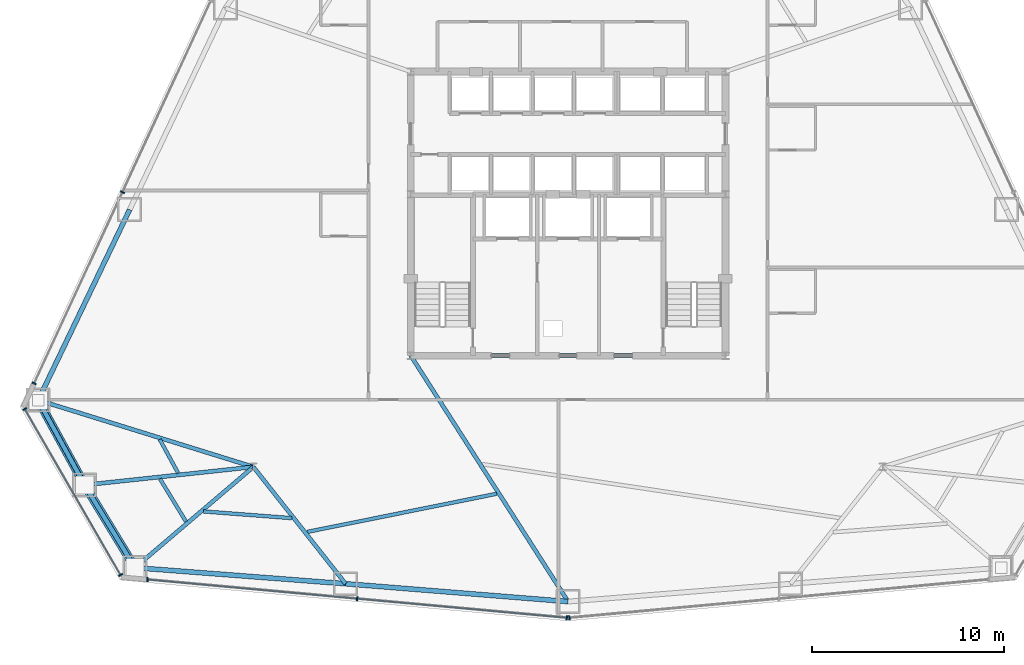
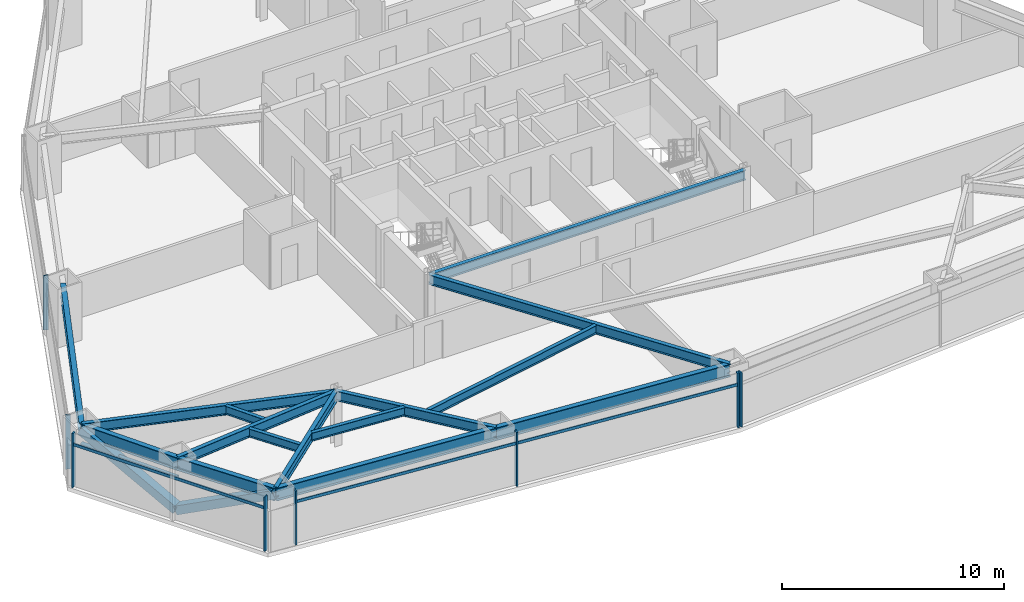
# One storey, part 4 of 12: 15 beams, 13 members, 4 elements without a shape of their own.
"""IFC4 building model written with IfcOpenShell, lengths in metres."""

from ifc_helpers import new_model, si_unit, direction, frame, origin, origin_2d, place, context, subcontext, project, spatial, rectangle, hollow_rectangle, hollow_circle, i_section, extrude, source, transform, mapped, material, layer, layer_set, material_profile, profile_set, type_object, type_shapes, element, aggregate, save


model = new_model("IFC4")

# Units and contexts
model_context = context("Model", 3, precision=1e-05, world=origin(), true_north=direction((0.0, 1.0)))
body_context = subcontext(model_context, "Body", "Model", "MODEL_VIEW")
ifc_project = project(units=[si_unit("LENGTHUNIT", "METRE"), si_unit("AREAUNIT", "SQUARE_METRE"), si_unit("VOLUMEUNIT", "CUBIC_METRE"), si_unit("PLANEANGLEUNIT", "RADIAN"), si_unit("MASSUNIT", "GRAM", prefix="KILO")], contexts=[model_context])

# Site, building, storey
site_placement = place(None, origin())
site = spatial("IfcSite", under=ifc_project, at=site_placement, CompositionType="ELEMENT")
building_placement = place(site_placement, origin())
building = spatial("IfcBuilding", under=site, at=building_placement, Name="Varakhsha Concourse Tower", CompositionType="ELEMENT")
storey_placement = place(building_placement, frame((0.0, 0.0, 36.800048828125)))
storey = spatial("IfcBuildingStorey", under=building, at=storey_placement, Name="L09", CompositionType="ELEMENT", Elevation=36.800048828125)

# Beams
ifc_material_1 = material(Name="Structural Steel ASTM A992 Grade 50", Category="steel")
ifc_material_profile_1 = material_profile(ifc_material_1, i_section(OverallWidth=0.19091796875, OverallDepth=0.45703125, WebThickness=0.009033203125, FlangeThickness=0.013916015625, at=origin_2d()), Name="W18X50")
ifc_profile_set_1 = profile_set([ifc_material_profile_1], Name="Structural Steel ASTM A992 Grade 50")
beam_type_1 = type_object("IfcBeamType", Name="BM-JST-W18X50", PredefinedType="JOIST", material=ifc_profile_set_1)
beam_1_placement = place(storey_placement, frame((18.72021484375, 12.03466796875, 2.75146484375), z_axis=(0.479699205935, -0.877433001332, 0.0), x_axis=(0.877433001332, 0.479699205935, 0.0)))
element("IfcBeam", 1, at=beam_1_placement, inside=storey, type_object=beam_type_1, Name="BM-TJST-L09-07", PredefinedType="JOIST", context=body_context, shape_type="SweptSolid", body=[
    extrude(i_section(OverallWidth=0.19091796875, OverallDepth=0.45703125, WebThickness=0.009033203125, FlangeThickness=0.013916015625, at=origin_2d()), origin(), (0.0, 0.0, 1.0), 1.99853515625),
])
beam_2_placement = place(storey_placement, frame((18.73388671875, 9.977294921875, 2.75146484375), z_axis=(0.520000486842, -0.854165963782, 0.0), x_axis=(0.854165963782, 0.520000486842, 0.0)))
element("IfcBeam", 2, at=beam_2_placement, inside=storey, type_object=beam_type_1, Name="BM-TJST-L09-08", PredefinedType="JOIST", context=body_context, shape_type="SweptSolid", body=[
    extrude(i_section(OverallWidth=0.19091796875, OverallDepth=0.45703125, WebThickness=0.009033203125, FlangeThickness=0.013916015625, at=origin_2d()), origin(), (0.0, 0.0, 1.0), 2.603759765625),
])
beam_3_placement = place(storey_placement, frame((20.9951171875, 8.281005859375, 2.75146484375), z_axis=(0.997104898325, -0.076038291245, 0.0), x_axis=(0.076038291245, 0.997104898325, 0.0)))
element("IfcBeam", 3, at=beam_3_placement, inside=storey, type_object=beam_type_1, Name="BM-TJST-L09-09", PredefinedType="JOIST", context=body_context, shape_type="SweptSolid", body=[
    extrude(i_section(OverallWidth=0.19091796875, OverallDepth=0.45703125, WebThickness=0.009033203125, FlangeThickness=0.013916015625, at=origin_2d()), origin(), (0.0, 0.0, 1.0), 4.62353515625),
])
beam_4_placement = place(storey_placement, frame((26.399658203125, 7.212158203125, 2.75146484375), z_axis=(0.980358396777, 0.19722427302, 0.0), x_axis=(-0.19722427302, 0.980358396777, 0.0)))
element("IfcBeam", 4, at=beam_4_placement, inside=storey, type_object=beam_type_1, Name="BM-TJST-L09-10", PredefinedType="JOIST", context=body_context, shape_type="SweptSolid", body=[
    extrude(i_section(OverallWidth=0.19091796875, OverallDepth=0.45703125, WebThickness=0.009033203125, FlangeThickness=0.013916015625, at=origin_2d()), origin(), (0.0, 0.0, 1.0), 10.08251953125),
])
ifc_material_profile_2 = material_profile(ifc_material_1, i_section(OverallWidth=0.2109375, OverallDepth=0.5390625, WebThickness=0.011962890625, FlangeThickness=0.01904296875, at=origin_2d()), Name="W21X73")
ifc_profile_set_2 = profile_set([ifc_material_profile_2], Name="Structural Steel ASTM A992 Grade 50")
beam_type_2 = type_object("IfcBeamType", Name="BM-RAD-W21X73", PredefinedType="BEAM", material=ifc_profile_set_2)
beam_5_placement = place(storey_placement, frame((31.800048828125, 16.39990234375, 2.71044921875), z_axis=(1.0, 0.0, 0.0), x_axis=(0.0, 1.0, 0.0)))
element("IfcBeam", 5, at=beam_5_placement, inside=storey, type_object=beam_type_2, Name="BM-TCORE-L09-CS", PredefinedType="BEAM", context=body_context, shape_type="SweptSolid", body=[
    extrude(i_section(OverallWidth=0.2109375, OverallDepth=0.5390625, WebThickness=0.011962890625, FlangeThickness=0.01904296875, at=origin_2d()), origin(), (0.0, 0.0, 1.0), 16.39990234375),
])
beam_6_placement = place(storey_placement, frame((23.60009765625, 10.60009765625, 2.71044921875), z_axis=(-0.955056624601, 0.2964234198, 0.0), x_axis=(-0.2964234198, -0.955056624601, 0.0)))
element("IfcBeam", 6, at=beam_6_placement, inside=storey, type_object=beam_type_2, Name="L09 Radial Floor Girder 07", PredefinedType="BEAM", context=body_context, shape_type="SweptSolid", body=[
    extrude(i_section(OverallWidth=0.2109375, OverallDepth=0.5390625, WebThickness=0.011962890625, FlangeThickness=0.01904296875, at=origin_2d()), origin(), (0.0, 0.0, 1.0), 11.73828125),
])
beam_7_placement = place(storey_placement, frame((23.60009765625, 10.60009765625, 2.71044921875), z_axis=(-0.994280497061, -0.106800248893, 0.0), x_axis=(0.106800248893, -0.994280497061, 0.0)))
element("IfcBeam", 7, at=beam_7_placement, inside=storey, type_object=beam_type_2, Name="L09 Radial Floor Girder 08", PredefinedType="BEAM", context=body_context, shape_type="SweptSolid", body=[
    extrude(i_section(OverallWidth=0.2109375, OverallDepth=0.5390625, WebThickness=0.011962890625, FlangeThickness=0.01904296875, at=origin_2d()), origin(), (0.0, 0.0, 1.0), 8.842041015625),
])
beam_8_placement = place(storey_placement, frame((23.60009765625, 10.60009765625, 2.71044921875), z_axis=(-0.761498250571, -0.648166964892, 0.0), x_axis=(0.648166964892, -0.761498250571, 0.0)))
element("IfcBeam", 8, at=beam_8_placement, inside=storey, type_object=beam_type_2, Name="L09 Radial Floor Girder 09", PredefinedType="BEAM", context=body_context, shape_type="SweptSolid", body=[
    extrude(i_section(OverallWidth=0.2109375, OverallDepth=0.5390625, WebThickness=0.011962890625, FlangeThickness=0.01904296875, at=origin_2d()), origin(), (0.0, 0.0, 1.0), 8.10205078125),
])
beam_9_placement = place(storey_placement, frame((23.60009765625, 10.60009765625, 2.71044921875), z_axis=(0.619646329508, -0.78488115427, 0.0), x_axis=(0.78488115427, 0.619646329508, 0.0)))
element("IfcBeam", 9, at=beam_9_placement, inside=storey, type_object=beam_type_2, Name="L09 Radial Floor Girder 10", PredefinedType="BEAM", context=body_context, shape_type="SweptSolid", body=[
    extrude(i_section(OverallWidth=0.2109375, OverallDepth=0.5390625, WebThickness=0.011962890625, FlangeThickness=0.01904296875, at=origin_2d()), origin(), (0.0, 0.0, 1.0), 7.757080078125),
])
beam_10_placement = place(storey_placement, frame((31.800048828125, 16.39990234375, 2.71044921875), z_axis=(0.538905712871, -0.842366091812, 0.0), x_axis=(0.842366091812, 0.538905712871, 0.0)))
element("IfcBeam", 10, at=beam_10_placement, inside=storey, type_object=beam_type_2, Name="L09 Radial Floor Girder 11", PredefinedType="BEAM", context=body_context, shape_type="SweptSolid", body=[
    extrude(i_section(OverallWidth=0.2109375, OverallDepth=0.5390625, WebThickness=0.011962890625, FlangeThickness=0.01904296875, at=origin_2d()), origin(), (0.0, 0.0, 1.0), 15.2158203125),
])
ifc_material_profile_3 = material_profile(ifc_material_1, i_section(OverallWidth=0.25390625, OverallDepth=0.701904296875, WebThickness=0.014892578125, FlangeThickness=0.028076171875, at=origin_2d()), Name="W27X129")
ifc_profile_set_3 = profile_set([ifc_material_profile_3], Name="Structural Steel ASTM A992 Grade 50")
beam_type_3 = type_object("IfcBeamType", Name="BM-SPAN-W27X129", PredefinedType="SPANDREL", material=ifc_profile_set_3)
beam_11_placement = place(storey_placement, frame((17.15283203125, 24.004150390625, 2.62890625), z_axis=(-0.432704390999, -0.901535861744, 0.0), x_axis=(0.901535861744, -0.432704390999, 0.0)))
element("IfcBeam", 11, at=beam_11_placement, inside=storey, type_object=beam_type_3, Name="BM-SPAN-L09-06", PredefinedType="SPANDREL", context=body_context, shape_type="SweptSolid", body=[
    extrude(i_section(OverallWidth=0.25390625, OverallDepth=0.701904296875, WebThickness=0.014892578125, FlangeThickness=0.028076171875, at=origin_2d()), origin(), (0.0, 0.0, 1.0), 11.008544921875),
])
beam_12_placement = place(storey_placement, frame((12.389404296875, 14.07958984375, 2.62890625), z_axis=(0.479798364466, -0.87737878334, 0.0), x_axis=(0.87737878334, 0.479798364466, 0.0)))
element("IfcBeam", 12, at=beam_12_placement, inside=storey, type_object=beam_type_3, Name="BM-SPAN-L09-07", PredefinedType="SPANDREL", context=body_context, shape_type="SweptSolid", body=[
    extrude(i_section(OverallWidth=0.25390625, OverallDepth=0.701904296875, WebThickness=0.014892578125, FlangeThickness=0.028076171875, at=origin_2d()), origin(), (0.0, 0.0, 1.0), 5.0419921875),
])
beam_13_placement = place(storey_placement, frame((14.80859375, 9.65576171875, 2.62890625), z_axis=(0.519960770998, -0.85419014079, 0.0), x_axis=(0.85419014079, 0.519960770998, 0.0)))
element("IfcBeam", 13, at=beam_13_placement, inside=storey, type_object=beam_type_3, Name="BM-SPAN-L09-08", PredefinedType="SPANDREL", context=body_context, shape_type="SweptSolid", body=[
    extrude(i_section(OverallWidth=0.25390625, OverallDepth=0.701904296875, WebThickness=0.014892578125, FlangeThickness=0.028076171875, at=origin_2d()), origin(), (0.0, 0.0, 1.0), 5.042236328125),
])
beam_14_placement = place(storey_placement, frame((17.430419921875, 5.3486328125, 2.62890625), z_axis=(0.997105791948, -0.076026572094, 0.0), x_axis=(0.076026572094, 0.997105791948, 0.0)))
element("IfcBeam", 14, at=beam_14_placement, inside=storey, type_object=beam_type_3, Name="BM-SPAN-L09-09", PredefinedType="SPANDREL", context=body_context, shape_type="SweptSolid", body=[
    extrude(i_section(OverallWidth=0.25390625, OverallDepth=0.701904296875, WebThickness=0.014892578125, FlangeThickness=0.028076171875, at=origin_2d()), origin(), (0.0, 0.0, 1.0), 11.008056640625),
])
beam_15_placement = place(storey_placement, frame((28.40673828125, 4.51171875, 2.62890625), z_axis=(0.996803386739, -0.079893730572, 0.0), x_axis=(0.079893730572, 0.996803386739, 0.0)))
element("IfcBeam", 15, at=beam_15_placement, inside=storey, type_object=beam_type_3, Name="BM-SPAN-L09-10", PredefinedType="SPANDREL", context=body_context, shape_type="SweptSolid", body=[
    extrude(i_section(OverallWidth=0.25390625, OverallDepth=0.701904296875, WebThickness=0.014892578125, FlangeThickness=0.028076171875, at=origin_2d()), origin(), (0.0, 0.0, 1.0), 11.63037109375),
])

# Members
ifc_material_2 = material(Name="Structural Steel ASTM A500 Grade C", Category="steel")
ifc_material_profile_4 = material_profile(ifc_material_2, hollow_rectangle(XDim=0.449951171875, YDim=0.449951171875, WallThickness=0.01904296875, at=origin_2d()), Name="HSS 450x450x19")
ifc_profile_set_4 = profile_set([ifc_material_profile_4], Name="Structural Steel ASTM A500 Grade C")
member_type_1 = type_object("IfcMemberType", Name="MB-TUBE-HSS450", PredefinedType="BRACE", material=ifc_profile_set_4)
shared_shape_1 = source(origin(), body_context, "Body", "SweptSolid", [
    extrude(hollow_rectangle(XDim=0.449951171875, YDim=0.449951171875, WallThickness=0.01904296875, at=origin_2d()), origin(), (0.0, 0.0, 1.0), 5.65478515625),
])
member_1_placement = place(storey_placement, frame((14.80859375, 9.65576171875, 0.119873046875), z_axis=(-0.427812544431, 0.782315400654, 0.452724022697), x_axis=(-0.87737878334, -0.479798364466, 0.0)))
element("IfcMember", 16, at=member_1_placement, inside=storey, type_object=member_type_1, Name="L09 Wind-Corner Tube Brace B03", PredefinedType="BRACE", context=body_context, shape_type="MappedRepresentation", body=[
    mapped(shared_shape_1, transform((0.0, 0.0, 0.0), scale=1.0)),
])
shared_shape_2 = source(origin(), body_context, "Body", "SweptSolid", [
    extrude(hollow_rectangle(XDim=0.449951171875, YDim=0.449951171875, WallThickness=0.01904296875, at=origin_2d()), origin(), (0.0, 0.0, 1.0), 5.655029296875),
])
type_shapes(member_type_1, [shared_shape_1, shared_shape_2])
member_2_placement = place(storey_placement, frame((14.80859375, 9.65576171875, 0.119873046875), z_axis=(0.463628238856, -0.761647210159, 0.452705625537), x_axis=(0.85419014079, 0.519960770998, 0.0)))
element("IfcMember", 17, at=member_2_placement, inside=storey, type_object=member_type_1, Name="L09 Wind-Corner Tube Brace B04", PredefinedType="BRACE", context=body_context, shape_type="MappedRepresentation", body=[
    mapped(shared_shape_2, transform((0.0, 0.0, 0.0), scale=1.0)),
])
ifc_material_profile_5 = material_profile(ifc_material_2, hollow_circle(Radius=0.136474609375, WallThickness=0.011962890625, at=origin_2d()), Name="CHS 273x12")
ifc_profile_set_5 = profile_set([ifc_material_profile_5], Name="Structural Steel ASTM A500 Grade C")
member_type_2 = type_object("IfcMemberType", Name="MB-WIND-CHS273", PredefinedType="COLLAR", material=ifc_profile_set_5)
shared_shape_3 = source(origin(), body_context, "Body", "SweptSolid", [
    extrude(hollow_circle(Radius=0.136474609375, WallThickness=0.011962890625, at=origin_2d()), origin(), (0.0, 0.0, 1.0), 5.0419921875),
])
type_shapes(member_type_2, [shared_shape_3])
member_3_placement = place(storey_placement, frame((12.389404296875, 14.07958984375, 1.800048828125), z_axis=(0.479798364466, -0.87737878334, 0.0), x_axis=(0.87737878334, 0.479798364466, 0.0)))
element("IfcMember", 18, at=member_3_placement, inside=storey, type_object=member_type_2, Name="L09 Wind-Corner Collar Tie 2", PredefinedType="COLLAR", context=body_context, shape_type="MappedRepresentation", body=[
    mapped(shared_shape_3, transform((0.0, 0.0, 0.0), scale=1.0)),
])

# Curtain wall, members
ifc_material_3 = material(Name="Anodised Bronze Architectural Aluminium AA 6063-T6", Category="aluminium")
ifc_layer = layer(ifc_material_3, 0.219970703125, Name="CW-SYS-02")
ifc_layer_set = layer_set([ifc_layer], Name="Anodised Bronze Architectural Aluminium AA 6063-T6")
curtain_wall_type = type_object("IfcCurtainWallType", Name="CW-SYS-02", PredefinedType="NOTDEFINED", material=ifc_layer_set)
curtain_wall_1_placement = place(storey_placement, origin())
curtain_wall_1 = element("IfcCurtainWall", 19, at=curtain_wall_1_placement, inside=storey, type_object=curtain_wall_type, Name="L09 Crystal Curtain Wall F3", PredefinedType="NOTDEFINED")
ifc_material_profile_6 = material_profile(ifc_material_3, rectangle(XDim=0.074951171875, YDim=0.219970703125, at=origin_2d()), Name="CWM-220X75")
ifc_profile_set_6 = profile_set([ifc_material_profile_6], Name="Anodised Bronze Architectural Aluminium AA 6063-T6")
member_type_3 = type_object("IfcMemberType", Name="CWM-220X75", PredefinedType="MULLION", material=ifc_profile_set_6)
shared_shape_4 = source(origin(), body_context, "Body", "SweptSolid", [
    extrude(rectangle(XDim=0.074951171875, YDim=0.219970703125, at=origin_2d()), origin(), (0.0, 0.0, 1.0), 2.97998046875),
])
type_shapes(member_type_3, [shared_shape_4])
member_4_placement = place(storey_placement, frame((12.179931640625, 14.953369140625, 0.0), z_axis=(0.0, 0.0, 1.0), x_axis=(0.419269871381, 0.907861649676, 0.0)))
member_4 = element("IfcMember", 20, at=member_4_placement, type_object=member_type_3, Name="CW-L09-F3 Mullion 00", PredefinedType="MULLION", context=body_context, shape_type="MappedRepresentation", body=[
    mapped(shared_shape_4, transform((0.0, 0.0, 0.0), scale=1.0)),
])
member_5_placement = place(storey_placement, frame((16.780029296875, 24.914306640625, 0.0), z_axis=(0.0, 0.0, 1.0), x_axis=(0.419269871381, 0.907861649676, 0.0)))
member_5 = element("IfcMember", 21, at=member_5_placement, type_object=member_type_3, Name="CW-L09-F3 Mullion 01", PredefinedType="MULLION", context=body_context, shape_type="MappedRepresentation", body=[
    mapped(shared_shape_4, transform((0.0, 0.0, 0.0), scale=1.0)),
])
aggregate(curtain_wall_1, [member_4, member_5])

curtain_wall_2_placement = place(storey_placement, origin())
curtain_wall_2 = element("IfcCurtainWall", 22, at=curtain_wall_2_placement, inside=storey, type_object=curtain_wall_type, Name="L09 Chamfer Curtain Wall F4", PredefinedType="NOTDEFINED")
member_6_placement = place(storey_placement, frame((16.68212890625, 4.970458984375, 0.0), z_axis=(0.0, 0.0, 1.0), x_axis=(-0.4999984885, 0.866026276448, 0.0)))
member_6 = element("IfcMember", 23, at=member_6_placement, type_object=member_type_3, Name="CW-L09-F4 Mullion 00", PredefinedType="MULLION", context=body_context, shape_type="MappedRepresentation", body=[
    mapped(shared_shape_4, transform((0.0, 0.0, 0.0), scale=1.0)),
])
member_7_placement = place(storey_placement, frame((11.68798828125, 13.620849609375, 0.0), z_axis=(0.0, 0.0, 1.0), x_axis=(-0.4999984885, 0.866026276448, 0.0)))
member_7 = element("IfcMember", 24, at=member_7_placement, type_object=member_type_3, Name="CW-L09-F4 Mullion 01", PredefinedType="MULLION", context=body_context, shape_type="MappedRepresentation", body=[
    mapped(shared_shape_4, transform((0.0, 0.0, 0.0), scale=1.0)),
])

curtain_wall_3_placement = place(storey_placement, origin())
curtain_wall_3 = element("IfcCurtainWall", 25, at=curtain_wall_3_placement, inside=storey, type_object=curtain_wall_type, Name="L09 Crystal Curtain Wall F5", PredefinedType="NOTDEFINED")
member_8_placement = place(storey_placement, frame((39.934814453125, 2.7373046875, 0.0), z_axis=(0.0, 0.0, 1.0), x_axis=(-0.995866028897, 0.090834203295, 0.0)))
member_8 = element("IfcMember", 26, at=member_8_placement, type_object=member_type_3, Name="CW-L09-F5 Mullion 00", PredefinedType="MULLION", context=body_context, shape_type="MappedRepresentation", body=[
    mapped(shared_shape_4, transform((0.0, 0.0, 0.0), scale=1.0)),
])
member_9_placement = place(storey_placement, frame((29.008544921875, 3.73388671875, 0.0), z_axis=(0.0, 0.0, 1.0), x_axis=(-0.995866028897, 0.090834203295, 0.0)))
member_9 = element("IfcMember", 27, at=member_9_placement, type_object=member_type_3, Name="CW-L09-F5 Mullion 01", PredefinedType="MULLION", context=body_context, shape_type="MappedRepresentation", body=[
    mapped(shared_shape_4, transform((0.0, 0.0, 0.0), scale=1.0)),
])
member_10_placement = place(storey_placement, frame((18.082275390625, 4.73046875, 0.0), z_axis=(0.0, 0.0, 1.0), x_axis=(-0.995866028897, 0.090834203295, 0.0)))
member_10 = element("IfcMember", 28, at=member_10_placement, type_object=member_type_3, Name="CW-L09-F5 Mullion 02", PredefinedType="MULLION", context=body_context, shape_type="MappedRepresentation", body=[
    mapped(shared_shape_4, transform((0.0, 0.0, 0.0), scale=1.0)),
])

# Curtain wall, member
curtain_wall_4_placement = place(storey_placement, origin())
curtain_wall_4 = element("IfcCurtainWall", 29, at=curtain_wall_4_placement, inside=storey, type_object=curtain_wall_type, Name="L09 Crystal Curtain Wall F6", PredefinedType="NOTDEFINED")
member_11_placement = place(storey_placement, frame((40.065185546875, 2.7373046875, 0.0), z_axis=(0.0, 0.0, 1.0), x_axis=(-0.995866028897, -0.090834203295, 0.0)))
member_11 = element("IfcMember", 30, at=member_11_placement, type_object=member_type_3, Name="CW-L09-F6 Mullion 02", PredefinedType="MULLION", context=body_context, shape_type="MappedRepresentation", body=[
    mapped(shared_shape_4, transform((0.0, 0.0, 0.0), scale=1.0)),
])
aggregate(curtain_wall_4, [member_11])

# Member
ifc_material_profile_7 = material_profile(ifc_material_3, rectangle(XDim=0.06494140625, YDim=0.159912109375, at=origin_2d()), Name="CWT-160X65")
ifc_profile_set_7 = profile_set([ifc_material_profile_7], Name="Anodised Bronze Architectural Aluminium AA 6063-T6")
member_type_4 = type_object("IfcMemberType", Name="CWT-160X65", PredefinedType="USERDEFINED", material=ifc_profile_set_7)
shared_shape_5 = source(origin(), body_context, "Body", "SweptSolid", [
    extrude(rectangle(XDim=0.06494140625, YDim=0.159912109375, at=origin_2d()), origin(), (0.0, 0.0, 1.0), 21.943359375),
])
member_12_placement = place(storey_placement, frame((39.934814453125, 2.7373046875, 2.329833984375), z_axis=(-0.995866167966, 0.09083267859, 0.0), x_axis=(-0.09083267859, -0.995866167966, 0.0)))
member_12 = element("IfcMember", 31, at=member_12_placement, type_object=member_type_4, Name="CW-L09-F5 Transom 01", ObjectType="TRANSOM", PredefinedType="USERDEFINED", context=body_context, shape_type="MappedRepresentation", body=[
    mapped(shared_shape_5, transform((0.0, 0.0, 0.0), scale=1.0)),
])

aggregate(curtain_wall_3, [member_8, member_9, member_10, member_12])

shared_shape_6 = source(origin(), body_context, "Body", "SweptSolid", [
    extrude(rectangle(XDim=0.06494140625, YDim=0.159912109375, at=origin_2d()), origin(), (0.0, 0.0, 1.0), 9.988525390625),
])
type_shapes(member_type_4, [shared_shape_5, shared_shape_6])
member_13_placement = place(storey_placement, frame((16.68212890625, 4.970458984375, 2.329833984375), z_axis=(-0.499987630939, 0.866032544947, 0.0), x_axis=(-0.866032544947, -0.499987630939, 0.0)))
member_13 = element("IfcMember", 32, at=member_13_placement, type_object=member_type_4, Name="CW-L09-F4 Transom 01", ObjectType="TRANSOM", PredefinedType="USERDEFINED", context=body_context, shape_type="MappedRepresentation", body=[
    mapped(shared_shape_6, transform((0.0, 0.0, 0.0), scale=1.0)),
])

aggregate(curtain_wall_2, [member_6, member_7, member_13])

save(model, "model.ifc")
